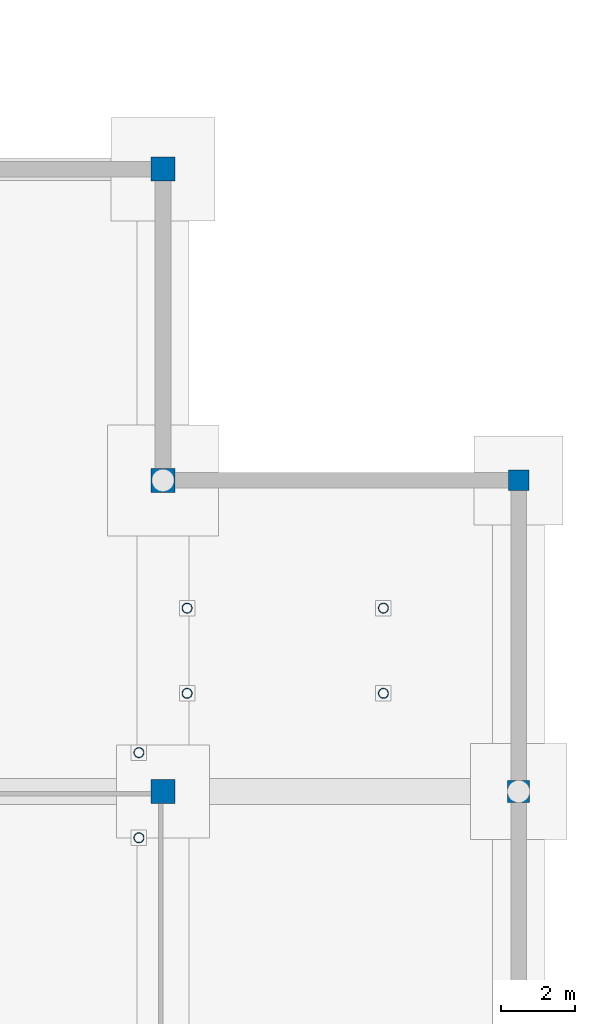
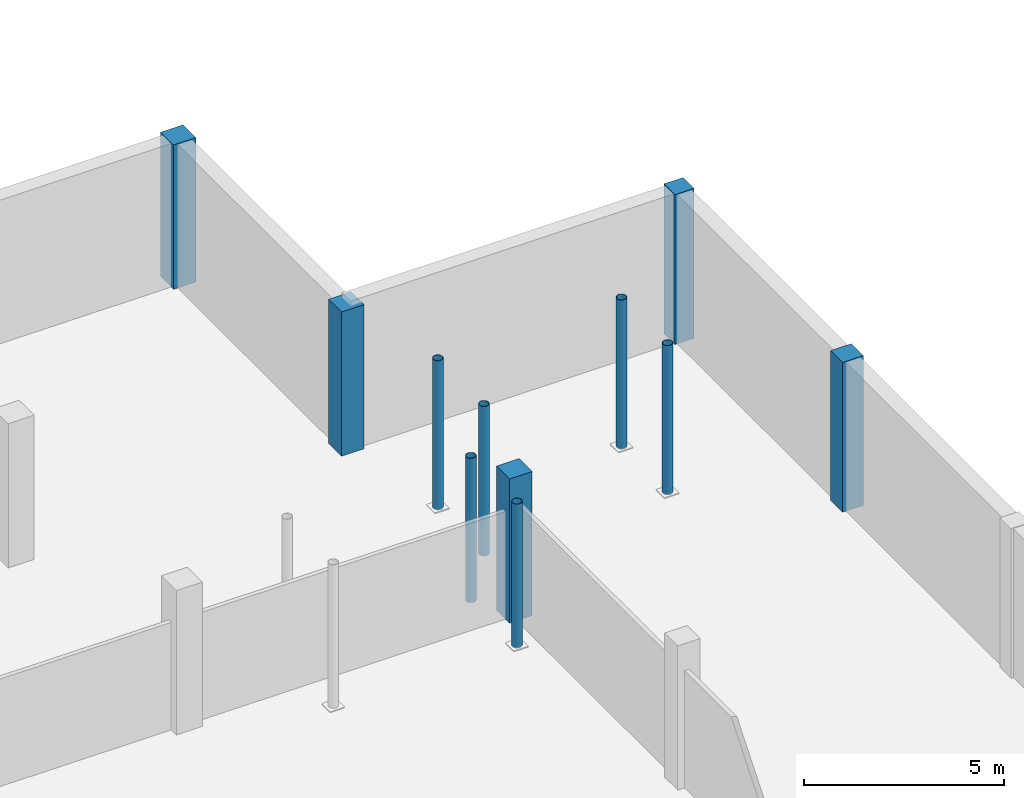
# One storey, part 14 of 26: 11 columns.
"""IFC4 building model written with IfcOpenShell, lengths in metres."""

from ifc_helpers import new_model, si_unit, direction, frame, origin, origin_2d, place, context, subcontext, project, spatial, rectangle, hollow_circle, extrude, material, material_profile, profile_set, type_object, element, save


model = new_model("IFC4")

# Units and contexts
model_context = context("Model", 3, precision=1e-05, world=origin(), true_north=direction((0.0, 1.0)))
body_context = subcontext(model_context, "Body", "Model", "MODEL_VIEW")
ifc_project = project(units=[si_unit("LENGTHUNIT", "METRE"), si_unit("AREAUNIT", "SQUARE_METRE"), si_unit("VOLUMEUNIT", "CUBIC_METRE"), si_unit("PLANEANGLEUNIT", "RADIAN"), si_unit("MASSUNIT", "GRAM", prefix="KILO")], contexts=[model_context])

# Site, building, storey
site_placement = place(None, origin())
site = spatial("IfcSite", under=ifc_project, at=site_placement, CompositionType="ELEMENT")
building_placement = place(site_placement, origin())
building = spatial("IfcBuilding", under=site, at=building_placement, Name="Lornevale Opera House", CompositionType="ELEMENT")
storey_placement = place(building_placement, frame((0.0, 0.0, -9.60009765625)))
storey = spatial("IfcBuildingStorey", under=building, at=storey_placement, Name="B2", CompositionType="ELEMENT", Elevation=-9.60009765625)

# Columns
ifc_material_1 = material(Name="Concrete 35 MPa (CSA A23.1 N)", Category="concrete")
ifc_material_profile_1 = material_profile(ifc_material_1, rectangle(XDim=0.550048828125, YDim=0.550048828125, at=origin_2d()), Name="RC550x550")
ifc_profile_set_1 = profile_set([ifc_material_profile_1], Name="Concrete 35 MPa (CSA A23.1 N)")
column_type_1 = type_object("IfcColumnType", Name="Concrete Column 550x550", PredefinedType="COLUMN", material=ifc_profile_set_1)
column_1_placement = place(storey_placement, frame((172.800048828125, 75.60009765625, 0.0), z_axis=(0.0, 0.0, 1.0), x_axis=(1.0, 0.0, 0.0)))
element("IfcColumn", 1, at=column_1_placement, inside=storey, type_object=column_type_1, Name="Concrete Column 550x550 1103", PredefinedType="COLUMN", context=body_context, shape_type="SweptSolid", body=[
    extrude(rectangle(XDim=0.550048828125, YDim=0.550048828125, at=origin_2d()), origin(), (0.0, 0.0, 1.0), 4.570068359375),
])
ifc_material_profile_2 = material_profile(ifc_material_1, rectangle(XDim=0.60009765625, YDim=0.60009765625, at=origin_2d()), Name="RC600x600")
ifc_profile_set_2 = profile_set([ifc_material_profile_2], Name="Concrete 35 MPa (CSA A23.1 N)")
column_type_2 = type_object("IfcColumnType", Name="Concrete Column 600x600", PredefinedType="COLUMN", material=ifc_profile_set_2)
column_2_placement = place(storey_placement, frame((172.800048828125, 67.199951171875, 0.0), z_axis=(0.0, 0.0, 1.0), x_axis=(1.0, 0.0, 0.0)))
element("IfcColumn", 2, at=column_2_placement, inside=storey, type_object=column_type_2, Name="Concrete Column 600x600 1102", PredefinedType="COLUMN", context=body_context, shape_type="SweptSolid", body=[
    extrude(rectangle(XDim=0.60009765625, YDim=0.60009765625, at=origin_2d()), origin(), (0.0, 0.0, 1.0), 4.570068359375),
])
ifc_material_2 = material(Name="Concrete 40 MPa (CSA A23.1 C-1)", Category="concrete")
ifc_material_profile_3 = material_profile(ifc_material_2, rectangle(XDim=0.64990234375, YDim=0.64990234375, at=origin_2d()), Name="RC650x650")
ifc_profile_set_3 = profile_set([ifc_material_profile_3], Name="Concrete 40 MPa (CSA A23.1 C-1)")
column_type_3 = type_object("IfcColumnType", Name="Concrete Column 650x650", PredefinedType="COLUMN", material=ifc_profile_set_3)
for number, where, z_axis, x_axis, name in (
    (3, (163.199951171875, 67.199951171875, 0.0), (0.0, 0.0, 1.0), (1.0, 0.0, 0.0), "Concrete Column 650x650 1089"),
    (4, (163.199951171875, 75.60009765625, 0.0), (0.0, 0.0, 1.0), (1.0, 0.0, 0.0), "Concrete Column 650x650 1091"),
    (5, (163.199951171875, 84.0, 0.0), (0.0, 0.0, 1.0), (1.0, 0.0, 0.0), "Concrete Column 650x650 1093"),
):
    element("IfcColumn", number, at=place(storey_placement, frame(where, z_axis=z_axis, x_axis=x_axis)), inside=storey, type_object=column_type_3, Name=name, PredefinedType="COLUMN", context=body_context, shape_type="SweptSolid", body=[
        extrude(rectangle(XDim=0.64990234375, YDim=0.64990234375, at=origin_2d()), origin(), (0.0, 0.0, 1.0), 4.400146484375),
    ])
ifc_material_3 = material(Name="Structural Steel CSA G40.21 Grade 350W (350 MPa)", Category="steel")
ifc_material_profile_4 = material_profile(ifc_material_3, hollow_circle(Radius=0.136474609375, WallThickness=0.010986328125, at=origin_2d()), Name="HSS273x11")
ifc_profile_set_4 = profile_set([ifc_material_profile_4], Name="Structural Steel CSA G40.21 Grade 350W (350 MPa)")
column_type_4 = type_object("IfcColumnType", Name="Promenade Ramp Mast HSS273x11", PredefinedType="COLUMN", material=ifc_profile_set_4)
for number, where, z_axis, x_axis, name in (
    (6, (163.85009765625, 69.85009765625, 0.0), (0.0, 0.0, 1.0), (1.0, 0.0, 0.0), "Promenade Ramp Mast B2 1130"),
    (7, (163.85009765625, 72.14990234375, 0.0), (0.0, 0.0, 1.0), (1.0, 0.0, 0.0), "Promenade Ramp Mast B2 1132"),
    (8, (169.14990234375, 69.85009765625, 0.0), (0.0, 0.0, 1.0), (1.0, 0.0, 0.0), "Promenade Ramp Mast B2 1134"),
    (9, (169.14990234375, 72.14990234375, 0.0), (0.0, 0.0, 1.0), (1.0, 0.0, 0.0), "Promenade Ramp Mast B2 1136"),
):
    element("IfcColumn", number, at=place(storey_placement, frame(where, z_axis=z_axis, x_axis=x_axis)), inside=storey, type_object=column_type_4, Name=name, PredefinedType="COLUMN", context=body_context, shape_type="SweptSolid", body=[
        extrude(hollow_circle(Radius=0.136474609375, WallThickness=0.010986328125, at=origin_2d()), origin(), (0.0, 0.0, 1.0), 4.56005859375),
    ])
for number, where, z_axis, x_axis, name in (
    (10, (162.550048828125, 65.949951171875, 0.0), (0.0, 0.0, 1.0), (1.0, 0.0, 0.0), "Parterre Ramp Mast B2 1144"),
    (11, (162.550048828125, 68.25, 0.0), (0.0, 0.0, 1.0), (1.0, 0.0, 0.0), "Parterre Ramp Mast B2 1147"),
):
    element("IfcColumn", number, at=place(storey_placement, frame(where, z_axis=z_axis, x_axis=x_axis)), inside=storey, type_object=column_type_4, Name=name, PredefinedType="COLUMN", context=body_context, shape_type="SweptSolid", body=[
        extrude(hollow_circle(Radius=0.136474609375, WallThickness=0.010986328125, at=origin_2d()), origin(), (0.0, 0.0, 1.0), 4.400146484375),
    ])

save(model, "model.ifc")
